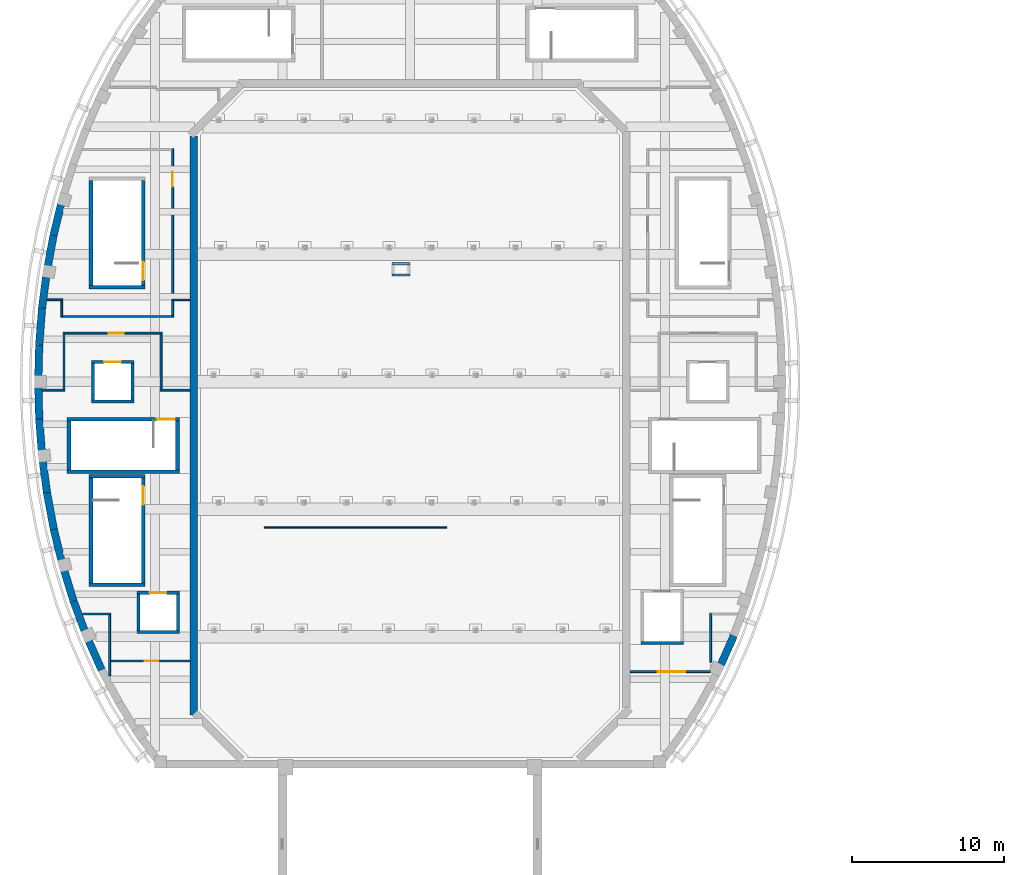
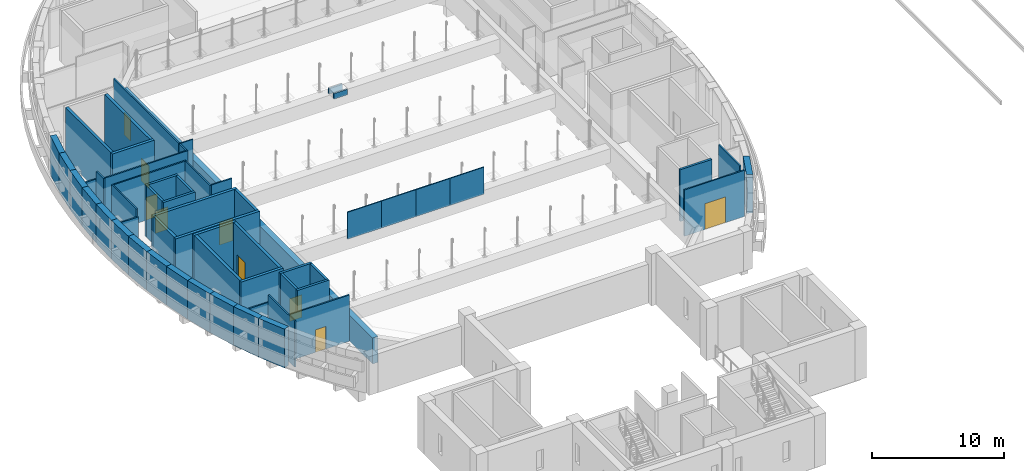
# One storey, part 29 of 47: 57 walls, 9 doors, 9 openings.
"""IFC4 building model written with IfcOpenShell, lengths in metres."""

import ifcopenshell
import ifcopenshell.guid

model = None  # the IFC model being written
_history = None  # IfcOwnerHistory: only IFC2X3 demands one
_inside = {}  # id of a spatial element -> (the spatial element, [elements in it])
_under = {}  # id of a project, library or spatial element -> (it, [spatial elements below it])
_declared = {}  # id of a project -> (the project, [libraries it declares])
_typed = {}  # id of a type object -> (the type object, [elements of that type])
_made_of = {}  # id of a material, layer set ... -> (it, [elements and type objects made of it])


def new_model(schema):
    """Start an empty IFC model of exactly this schema.

    Asked for "IFC4X3", IfcOpenShell would pick the latest addendum, in which some entities
    have other attributes; the version numbers below select the first issue.
    IFC2X3 requires an IfcOwnerHistory on every rooted entity: one is made here for all.
    """
    global model, _history
    if schema == "IFC4X3":
        model = ifcopenshell.file(schema_version=(4, 3, 0, 0))
    else:
        model = ifcopenshell.file(schema=schema)
    _inside.clear()
    _under.clear()
    _declared.clear()
    _typed.clear()
    _made_of.clear()
    _history = None
    if model.schema == "IFC2X3":
        org = make("IfcOrganization", Name="unknown")
        user = make(
            "IfcPersonAndOrganization",
            ThePerson=make("IfcPerson", FamilyName="unknown"),
            TheOrganization=org,
        )
        app = make(
            "IfcApplication",
            ApplicationDeveloper=org,
            Version="unknown",
            ApplicationFullName="unknown",
            ApplicationIdentifier="unknown",
        )
        _history = make(
            "IfcOwnerHistory",
            OwningUser=user,
            OwningApplication=app,
            ChangeAction="ADDED",
            CreationDate=0,
        )
    return model


def make(cls, **values):
    """One entity of the class cls with the attributes given. An attribute that is None is left unset."""
    return model.create_entity(
        cls, **{name: value for name, value in values.items() if value is not None}
    )


def rooted(cls, **values):
    """An entity with a GlobalId (a new one), such as an element, a storey or a relation."""
    return make(cls, GlobalId=ifcopenshell.guid.new(), OwnerHistory=_history, **values)


def si_unit(unit_type, name, prefix=None):
    """IfcSIUnit, for example si_unit("LENGTHUNIT", "METRE", prefix="MILLI")."""
    return make("IfcSIUnit", UnitType=unit_type, Prefix=prefix, Name=name)


def assignment(units):
    """IfcUnitAssignment: the units of a project."""
    return None if units is None else make("IfcUnitAssignment", Units=units)


def point(xyz):
    """IfcCartesianPoint."""
    return None if xyz is None else make("IfcCartesianPoint", Coordinates=xyz)


def direction(xyz):
    """IfcDirection."""
    return None if xyz is None else make("IfcDirection", DirectionRatios=xyz)


def frame(location, z_axis=None, x_axis=None):
    """IfcAxis2Placement3D, a coordinate frame: its origin and axes. An axis left out is left unset."""
    return make(
        "IfcAxis2Placement3D",
        Location=point(location),
        Axis=direction(z_axis),
        RefDirection=direction(x_axis),
    )


def frame_2d(location, x_axis=None):
    """IfcAxis2Placement2D, a coordinate frame in the plane: its origin and x axis."""
    return make(
        "IfcAxis2Placement2D", Location=point(location), RefDirection=direction(x_axis)
    )


def origin():
    """The frame at (0, 0, 0) with its axes left unset."""
    return frame((0.0, 0.0, 0.0))


def place(relative_to, where):
    """IfcLocalPlacement: puts the frame where relative to a parent placement (None: the world)."""
    return make(
        "IfcLocalPlacement", PlacementRelTo=relative_to, RelativePlacement=where
    )


def context(
    kind, dimensions, precision=None, world=None, true_north=None, identifier=None
):
    """IfcGeometricRepresentationContext, for example the 3D "Model" context."""
    return make(
        "IfcGeometricRepresentationContext",
        ContextIdentifier=identifier,
        ContextType=kind,
        CoordinateSpaceDimension=dimensions,
        Precision=precision,
        WorldCoordinateSystem=world,
        TrueNorth=true_north,
    )


def subcontext(parent, identifier, kind, view, scale=None):
    """IfcGeometricRepresentationSubContext, for example "Body" below "Model"."""
    return make(
        "IfcGeometricRepresentationSubContext",
        ContextIdentifier=identifier,
        ContextType=kind,
        ParentContext=parent,
        TargetScale=scale,
        TargetView=view,
    )


def project(units=None, contexts=None):
    """IfcProject with its units and contexts."""
    return rooted(
        "IfcProject",
        Name="project",
        RepresentationContexts=contexts,
        UnitsInContext=assignment(units),
    )


def spatial(cls, under=None, at=None, **own):
    """A site, building, storey or space (cls), placed at a placement, below another one or the project."""
    s = rooted(cls, ObjectPlacement=at, **own)
    if under is not None:
        _under.setdefault(under.id(), (under, []))[1].append(s)
    return s


def profile(cls, at=None, kind="AREA", **sizes):
    """A parametric profile (cls). Its sizes go by their IFC names, for example OverallWidth=200.0."""
    return make(cls, ProfileType=kind, Position=at, **sizes)


def rectangle(**sizes):
    """IfcRectangleProfileDef."""
    return profile("IfcRectangleProfileDef", **sizes)


def extrude(swept, where, along, depth):
    """IfcExtrudedAreaSolid: the profile swept, set in the frame where, extruded along a direction by depth."""
    return make(
        "IfcExtrudedAreaSolid",
        SweptArea=swept,
        Position=where,
        ExtrudedDirection=direction(along),
        Depth=depth,
    )


def shape(context_of_items, identifier, shape_type, items):
    """IfcShapeRepresentation: the items that make up one representation, for example the "Body"."""
    return make(
        "IfcShapeRepresentation",
        ContextOfItems=context_of_items,
        RepresentationIdentifier=identifier,
        RepresentationType=shape_type,
        Items=items,
    )


def material(Name=None, Category=None):
    """IfcMaterial."""
    return make("IfcMaterial", Name=Name, Category=Category)


def layer(
    of_material, thickness, ventilated=None, Name=None, Category=None, Priority=None
):
    """IfcMaterialLayer: one layer of a wall or slab, of a material (None: an air gap)."""
    return make(
        "IfcMaterialLayer",
        Material=of_material,
        LayerThickness=thickness,
        IsVentilated=ventilated,
        Name=Name,
        Category=Category,
        Priority=Priority,
    )


def layer_set(layers, Name=None):
    """IfcMaterialLayerSet."""
    return make("IfcMaterialLayerSet", MaterialLayers=layers, LayerSetName=Name)


def made_of(thing, what):
    """Note that an element or type object is made of a material, layer set ...; save() writes the relation."""
    if what is not None:
        _made_of.setdefault(what.id(), (what, []))[1].append(thing)
    return thing


def type_object(cls, material=None, **own):
    """A type object (cls), such as IfcWallType, which elements share."""
    return made_of(rooted(cls, **own), material)


def element(
    cls,
    number,
    at=None,
    inside=None,
    cuts=None,
    type_object=None,
    material=None,
    context=None,
    identifier="Body",
    shape_type=None,
    held_by="IfcProductDefinitionShape",
    body=None,
    shapes=None,
    **own,
):
    """One element of the class cls, such as IfcWall. Its Tag is "e" and its number.

    at: its placement. inside: the storey or other place that contains it. cuts: it is an
    opening in that element (IfcRelVoidsElement). A single representation is given by context,
    identifier, shape_type and body (its items); several are given by shapes. held_by: the class
    of the entity that holds the representations. save() writes the other relations.
    """
    e = rooted(cls, Tag="e%d" % number, ObjectPlacement=at, **own)
    if body is not None:
        shapes = [shape(context, identifier, shape_type, body)]
    if shapes is not None:
        e.Representation = make(held_by, Representations=shapes)
    if inside is not None:
        _inside.setdefault(inside.id(), (inside, []))[1].append(e)
    if cuts is not None:
        rooted(
            "IfcRelVoidsElement", RelatingBuildingElement=cuts, RelatedOpeningElement=e
        )
    if type_object is not None:
        _typed.setdefault(type_object.id(), (type_object, []))[1].append(e)
    return made_of(e, material)


def fill(opening, filler):
    """IfcRelFillsElement: the door or window that sits in an opening."""
    return rooted(
        "IfcRelFillsElement",
        RelatingOpeningElement=opening,
        RelatedBuildingElement=filler,
    )


def aggregate(whole, parts):
    """IfcRelAggregates: a whole, such as a stair, and the parts it consists of."""
    return rooted("IfcRelAggregates", RelatingObject=whole, RelatedObjects=parts)


def save(model, path):
    """Write the relations noted so far, then the file.

    IfcRelAggregates (storeys below a building ...), IfcRelContainedInSpatialStructure (elements
    in a storey), IfcRelDefinesByType, IfcRelAssociatesMaterial and IfcRelDeclares: one each for
    every whole, place, type object, material and project.
    """
    for whole, parts in _under.values():
        aggregate(whole, parts)
    for where, things in _inside.values():
        rooted(
            "IfcRelContainedInSpatialStructure",
            RelatedElements=things,
            RelatingStructure=where,
        )
    for kind, things in _typed.values():
        rooted("IfcRelDefinesByType", RelatedObjects=things, RelatingType=kind)
    for what, things in _made_of.values():
        rooted("IfcRelAssociatesMaterial", RelatedObjects=things, RelatingMaterial=what)
    for by, libraries in _declared.values():
        rooted("IfcRelDeclares", RelatingContext=by, RelatedDefinitions=libraries)
    model.write(path)


model = new_model("IFC4")

# Units and contexts
model_context = context("Model", 3, precision=1e-05, world=origin(), true_north=direction((0.0, 1.0)))
body_context = subcontext(model_context, "Body", "Model", "MODEL_VIEW")
ifc_project = project(units=[si_unit("LENGTHUNIT", "METRE"), si_unit("AREAUNIT", "SQUARE_METRE"), si_unit("VOLUMEUNIT", "CUBIC_METRE"), si_unit("PLANEANGLEUNIT", "RADIAN"), si_unit("MASSUNIT", "GRAM", prefix="KILO")], contexts=[model_context])

# Site, building, storey
site_placement = place(None, origin())
site = spatial("IfcSite", under=ifc_project, at=site_placement, CompositionType="ELEMENT")
building_placement = place(site_placement, origin())
building = spatial("IfcBuilding", under=site, at=building_placement, Name="Larchfold Concert Hall", CompositionType="ELEMENT")
storey_placement = place(building_placement, frame((0.0, 0.0, 24.0)))
storey = spatial("IfcBuildingStorey", under=building, at=storey_placement, Name="L05", CompositionType="ELEMENT", Elevation=24.0)

# Wall, opening, door
ifc_material_1 = material(Name="Plasterboard partition on steel studs", Category="steel")
ifc_layer_1 = layer(ifc_material_1, 0.125)
ifc_layer_set_1 = layer_set([ifc_layer_1], Name="Plasterboard partition on steel studs")
wall_type_1 = type_object("IfcWallType", Name="Corridor partition 125 EI 60", PredefinedType="PARTITIONING", material=ifc_layer_set_1)
wall_1_placement = place(storey_placement, frame((57.10009765625, 65.5, 0.0), z_axis=(0.0, 0.0, 1.0), x_axis=(0.999999982852, 0.000185193756, 0.0)))
wall_1 = element("IfcWall", 1, at=wall_1_placement, inside=storey, type_object=wall_type_1, Name="Partition IW0001", PredefinedType="PARTITIONING", context=body_context, shape_type="SweptSolid", body=[
    extrude(rectangle(XDim=5.273193359375, YDim=0.125, at=frame_2d((2.63671875, 0.0))), origin(), (0.0, 0.0, 1.0), 4.300048828125),
])
opening_1_placement = place(wall_1_placement, frame((1.813232421875, 0.0, 0.0)))
opening_1 = element("IfcOpeningElement", 2, at=opening_1_placement, cuts=wall_1, Name="Opening D-L05-100", PredefinedType="OPENING", context=body_context, shape_type="SweptSolid", body=[
    extrude(rectangle(XDim=1.800048828125, YDim=2.39990234375, at=frame_2d((0.89990234375, 1.199951171875))), frame((0.0, 0.072509765625, 0.0), z_axis=(0.0, -1.0, 0.0), x_axis=(1.0, 0.0, 0.0)), (0.0, 0.0, 1.0), 0.14501953125),
])
ifc_material_2 = material(Name="Timber door leaf", Category="wood")
door_type_1 = type_object("IfcDoorType", Name="Stage and workshop door pair 1800 x 2400 FD30S", OperationType="SINGLE_SWING_LEFT", PredefinedType="DOOR", material=ifc_material_2)
door_1_placement = place(opening_1_placement, origin())
door_1 = element("IfcDoor", 3, at=door_1_placement, inside=storey, type_object=door_type_1, Name="Door D-L05-100", OperationType="DOUBLE_DOOR_SINGLE_SWING", OverallHeight=2.39990234375, OverallWidth=1.800048828125, PredefinedType="DOOR", context=body_context, shape_type="SweptSolid", body=[
    extrude(rectangle(XDim=1.800048828125, YDim=2.39990234375, at=frame_2d((0.89990234375, 1.199951171875))), frame((0.0, 0.02490234375, 0.0), z_axis=(0.0, -1.0, 0.0), x_axis=(1.0, 0.0, 0.0)), (0.0, 0.0, 1.0), 0.050048828125),
])
fill(opening_1, door_1)

# Walls
wall_2_placement = place(storey_placement, frame((62.39501953125, 66.107177734375, 0.0), z_axis=(0.0, 0.0, 1.0), x_axis=(0.001574919301, 0.999998759814, 0.0)))
element("IfcWall", 4, at=wall_2_placement, inside=storey, type_object=wall_type_1, Name="Partition IW0002", PredefinedType="PARTITIONING", context=body_context, shape_type="SweptSolid", body=[
    extrude(rectangle(XDim=3.25537109375, YDim=0.125, at=frame_2d((1.627685546875, 0.0))), origin(), (0.0, 0.0, 1.0), 4.300048828125),
])
wall_3_placement = place(storey_placement, frame((21.02099609375, 69.300048828125, 0.0), z_axis=(0.0, 0.0, 1.0), x_axis=(1.0, 0.0, 0.0)))
element("IfcWall", 5, at=wall_3_placement, inside=storey, type_object=wall_type_1, Name="Partition IW0004", PredefinedType="PARTITIONING", context=body_context, shape_type="SweptSolid", body=[
    extrude(rectangle(XDim=1.841552734375, YDim=0.125, at=frame_2d((0.9208984375, 0.0))), origin(), (0.0, 0.0, 1.0), 3.599853515625),
])
wall_4_placement = place(storey_placement, frame((22.800048828125, 69.237548828125, 0.0), z_axis=(0.0, 0.0, 1.0), x_axis=(0.001954791623, -0.999998089393, 0.0)))
element("IfcWall", 6, at=wall_4_placement, inside=storey, type_object=wall_type_1, Name="Partition IW0005", PredefinedType="PARTITIONING", context=body_context, shape_type="SweptSolid", body=[
    extrude(rectangle(XDim=3.99658203125, YDim=0.125, at=frame_2d((1.998291015625, 0.0))), origin(), (0.0, 0.0, 1.0), 4.300048828125),
])

# Wall, opening, door
wall_5_placement = place(storey_placement, frame((22.868408203125, 66.200927734375, 0.0), z_axis=(0.0, 0.0, 1.0), x_axis=(0.999999982578, -0.00018666293, 0.0)))
wall_5 = element("IfcWall", 7, at=wall_5_placement, inside=storey, type_object=wall_type_1, Name="Partition IW0006", PredefinedType="PARTITIONING", context=body_context, shape_type="SweptSolid", body=[
    extrude(rectangle(XDim=5.231689453125, YDim=0.125, at=frame_2d((2.61572265625, 0.0))), origin(), (0.0, 0.0, 1.0), 4.300048828125),
])
opening_2_placement = place(wall_5_placement, frame((2.24853515625, 0.0, 0.0)))
opening_2 = element("IfcOpeningElement", 8, at=opening_2_placement, cuts=wall_5, Name="Opening D-L05-101", PredefinedType="OPENING", context=body_context, shape_type="SweptSolid", body=[
    extrude(rectangle(XDim=0.89990234375, YDim=2.10009765625, at=frame_2d((0.449951171875, 1.050048828125))), frame((0.0, 0.072509765625, 0.0), z_axis=(0.0, -1.0, 0.0), x_axis=(1.0, 0.0, 0.0)), (0.0, 0.0, 1.0), 0.14501953125),
])
ifc_material_3 = material(Name="Timber door leaf", Category="wood")
door_type_2 = type_object("IfcDoorType", Name="Control room door 900 x 2100 FD60S", OperationType="SINGLE_SWING_LEFT", PredefinedType="DOOR", material=ifc_material_3)
door_2_placement = place(opening_2_placement, origin())
door_2 = element("IfcDoor", 9, at=door_2_placement, inside=storey, type_object=door_type_2, Name="Door D-L05-101", OperationType="SINGLE_SWING_LEFT", OverallHeight=2.10009765625, OverallWidth=0.89990234375, PredefinedType="DOOR", context=body_context, shape_type="SweptSolid", body=[
    extrude(rectangle(XDim=0.89990234375, YDim=2.10009765625, at=frame_2d((0.449951171875, 1.050048828125))), frame((0.0, 0.02490234375, 0.0), z_axis=(0.0, -1.0, 0.0), x_axis=(1.0, 0.0, 0.0)), (0.0, 0.0, 1.0), 0.050048828125),
])
fill(opening_2, door_2)

# Walls
wall_6_placement = place(storey_placement, frame((18.364990234375, 84.049072265625, 0.0), z_axis=(0.0, 0.0, 1.0), x_axis=(0.999999787658, 0.000651677933, 0.0)))
element("IfcWall", 10, at=wall_6_placement, inside=storey, type_object=wall_type_1, Name="Partition IW0012", PredefinedType="PARTITIONING", context=body_context, shape_type="SweptSolid", body=[
    extrude(rectangle(XDim=1.49853515625, YDim=0.125, at=frame_2d((0.749267578125, 0.0))), origin(), (0.0, 0.0, 1.0), 3.599853515625),
])
wall_7_placement = place(storey_placement, frame((19.801025390625, 84.112548828125, 0.0), z_axis=(0.0, 0.0, 1.0), x_axis=(0.0, 1.0, 0.0)))
element("IfcWall", 11, at=wall_7_placement, inside=storey, type_object=wall_type_1, Name="Partition IW0013", PredefinedType="PARTITIONING", context=body_context, shape_type="SweptSolid", body=[
    extrude(rectangle(XDim=3.7490234375, YDim=0.125, at=frame_2d((1.87451171875, 0.0))), origin(), (0.0, 0.0, 1.0), 4.300048828125),
])

# Wall, opening, door
wall_8_placement = place(storey_placement, frame((19.863525390625, 87.799072265625, 0.0), z_axis=(0.0, 0.0, 1.0), x_axis=(1.0, 0.0, 0.0)))
wall_8 = element("IfcWall", 12, at=wall_8_placement, inside=storey, type_object=wall_type_1, Name="Partition IW0014", PredefinedType="PARTITIONING", context=body_context, shape_type="SweptSolid", body=[
    extrude(rectangle(XDim=6.39794921875, YDim=0.125, at=frame_2d((3.198974609375, 0.0))), origin(), (0.0, 0.0, 1.0), 4.300048828125),
])
opening_3_placement = place(wall_8_placement, frame((2.868896484375, 0.0, 0.0)))
opening_3 = element("IfcOpeningElement", 13, at=opening_3_placement, cuts=wall_8, Name="Opening D-L05-102", PredefinedType="OPENING", context=body_context, shape_type="SweptSolid", body=[
    extrude(rectangle(XDim=1.0, YDim=2.10009765625, at=frame_2d((0.5, 1.050048828125))), frame((0.0, 0.072509765625, 0.0), z_axis=(0.0, -1.0, 0.0), x_axis=(1.0, 0.0, 0.0)), (0.0, 0.0, 1.0), 0.14501953125),
])
ifc_material_4 = material(Name="Timber door leaf", Category="wood")
door_type_3 = type_object("IfcDoorType", Name="Room door 1000 x 2100 FD30S", OperationType="SINGLE_SWING_LEFT", PredefinedType="DOOR", material=ifc_material_4)
door_3_placement = place(opening_3_placement, origin())
door_3 = element("IfcDoor", 14, at=door_3_placement, inside=storey, type_object=door_type_3, Name="Door D-L05-102", OperationType="SINGLE_SWING_RIGHT", OverallHeight=2.10009765625, OverallWidth=1.0, PredefinedType="DOOR", context=body_context, shape_type="SweptSolid", body=[
    extrude(rectangle(XDim=1.0, YDim=2.10009765625, at=frame_2d((0.5, 1.050048828125))), frame((0.0, 0.02490234375, 0.0), z_axis=(0.0, -1.0, 0.0), x_axis=(1.0, 0.0, 0.0)), (0.0, 0.0, 1.0), 0.050048828125),
])
fill(opening_3, door_3)

# Walls
wall_9_placement = place(storey_placement, frame((26.198974609375, 87.736572265625, 0.0), z_axis=(0.0, 0.0, 1.0), x_axis=(0.0, -1.0, 0.0)))
element("IfcWall", 15, at=wall_9_placement, inside=storey, type_object=wall_type_1, Name="Partition IW0015", PredefinedType="PARTITIONING", context=body_context, shape_type="SweptSolid", body=[
    extrude(rectangle(XDim=3.7490234375, YDim=0.125, at=frame_2d((1.87451171875, 0.0))), origin(), (0.0, 0.0, 1.0), 4.300048828125),
])
wall_10_placement = place(storey_placement, frame((26.261474609375, 84.050048828125, 0.0), z_axis=(0.0, 0.0, 1.0), x_axis=(0.999999858946, -0.000531137888, 0.0)))
element("IfcWall", 16, at=wall_10_placement, inside=storey, type_object=wall_type_1, Name="Partition IW0016", PredefinedType="PARTITIONING", context=body_context, shape_type="SweptSolid", body=[
    extrude(rectangle(XDim=1.838623046875, YDim=0.125, at=frame_2d((0.91943359375, 0.0))), origin(), (0.0, 0.0, 1.0), 4.300048828125),
])
wall_11_placement = place(storey_placement, frame((18.678955078125, 90.0, 0.0), z_axis=(0.0, 0.0, 1.0), x_axis=(1.0, 0.0, 0.0)))
element("IfcWall", 17, at=wall_11_placement, inside=storey, type_object=wall_type_1, Name="Partition IW0024", PredefinedType="PARTITIONING", context=body_context, shape_type="SweptSolid", body=[
    extrude(rectangle(XDim=1.033447265625, YDim=0.125, at=frame_2d((0.5166015625, 0.0))), origin(), (0.0, 0.0, 1.0), 3.599853515625),
])
wall_12_placement = place(storey_placement, frame((19.64990234375, 89.9375, 0.0), z_axis=(0.0, 0.0, 1.0), x_axis=(0.0, -1.0, 0.0)))
element("IfcWall", 18, at=wall_12_placement, inside=storey, type_object=wall_type_1, Name="Partition IW0025", PredefinedType="PARTITIONING", context=body_context, shape_type="SweptSolid", body=[
    extrude(rectangle(XDim=1.10009765625, YDim=0.125, at=frame_2d((0.550048828125, 0.0))), origin(), (0.0, 0.0, 1.0), 4.300048828125),
])
wall_13_placement = place(storey_placement, frame((19.71240234375, 88.89990234375, 0.0), z_axis=(0.0, 0.0, 1.0), x_axis=(1.0, 0.0, 0.0)))
element("IfcWall", 19, at=wall_13_placement, inside=storey, type_object=wall_type_1, Name="Partition IW0026", PredefinedType="PARTITIONING", context=body_context, shape_type="SweptSolid", body=[
    extrude(rectangle(XDim=7.300048828125, YDim=0.125, at=frame_2d((3.64990234375, 0.0))), origin(), (0.0, 0.0, 1.0), 4.300048828125),
])
wall_14_placement = place(storey_placement, frame((26.949951171875, 88.96240234375, 0.0), z_axis=(0.0, 0.0, 1.0), x_axis=(0.0, 1.0, 0.0)))
element("IfcWall", 20, at=wall_14_placement, inside=storey, type_object=wall_type_1, Name="Partition IW0027", PredefinedType="PARTITIONING", context=body_context, shape_type="SweptSolid", body=[
    extrude(rectangle(XDim=0.987548828125, YDim=0.125, at=frame_2d((0.49365234375, 0.0))), origin(), (0.0, 0.0, 1.0), 4.300048828125),
])

# Wall, opening, door
wall_15_placement = place(storey_placement, frame((26.949951171875, 90.051025390625, 0.0), z_axis=(0.0, 0.0, 1.0), x_axis=(0.0, 1.0, 0.0)))
wall_15 = element("IfcWall", 21, at=wall_15_placement, inside=storey, type_object=wall_type_1, Name="Partition IW0029", PredefinedType="PARTITIONING", context=body_context, shape_type="SweptSolid", body=[
    extrude(rectangle(XDim=9.911376953125, YDim=0.125, at=frame_2d((4.95556640625, 0.0))), origin(), (0.0, 0.0, 1.0), 4.300048828125),
])
opening_4_placement = place(wall_15_placement, frame((7.38134765625, 0.0, 0.0)))
opening_4 = element("IfcOpeningElement", 22, at=opening_4_placement, cuts=wall_15, Name="Opening D-L05-104", PredefinedType="OPENING", context=body_context, shape_type="SweptSolid", body=[
    extrude(rectangle(XDim=1.0, YDim=2.10009765625, at=frame_2d((0.5, 1.050048828125))), frame((0.0, 0.072509765625, 0.0), z_axis=(0.0, -1.0, 0.0), x_axis=(1.0, 0.0, 0.0)), (0.0, 0.0, 1.0), 0.14501953125),
])
door_4_placement = place(opening_4_placement, origin())
door_4 = element("IfcDoor", 23, at=door_4_placement, inside=storey, type_object=door_type_3, Name="Door D-L05-104", OperationType="SINGLE_SWING_LEFT", OverallHeight=2.10009765625, OverallWidth=1.0, PredefinedType="DOOR", context=body_context, shape_type="SweptSolid", body=[
    extrude(rectangle(XDim=1.0, YDim=2.10009765625, at=frame_2d((0.5, 1.050048828125))), frame((0.0, 0.02490234375, 0.0), z_axis=(0.0, -1.0, 0.0), x_axis=(1.0, 0.0, 0.0)), (0.0, 0.0, 1.0), 0.050048828125),
])
fill(opening_4, door_4)

# Walls
ifc_material_5 = material(Name="Anodised graphite aluminium louvre screen", Category="aluminium")
ifc_layer_2 = layer(ifc_material_5, 0.10009765625)
ifc_layer_set_2 = layer_set([ifc_layer_2], Name="Anodised graphite aluminium louvre screen")
wall_type_2 = type_object("IfcWallType", Name="Plant screen louvre panel 100", PredefinedType="PARTITIONING", material=ifc_layer_set_2)
for number, where, z_axis, x_axis, name in (
    (24, (33.0, 75.0, 2.39990234375), (0.0, 0.0, 1.0), (1.0, 0.0, 0.0), "Plant screen PS01"),
    (25, (36.0, 75.0, 2.39990234375), (0.0, 0.0, 1.0), (1.0, 0.0, 0.0), "Plant screen PS02"),
    (26, (39.0, 75.0, 2.39990234375), (0.0, 0.0, 1.0), (1.0, 0.0, 0.0), "Plant screen PS03"),
    (27, (42.0, 75.0, 2.39990234375), (0.0, 0.0, 1.0), (1.0, 0.0, 0.0), "Plant screen PS04"),
):
    element("IfcWall", number, at=place(storey_placement, frame(where, z_axis=z_axis, x_axis=x_axis)), inside=storey, type_object=wall_type_2, Name=name, PredefinedType="PARTITIONING", context=body_context, shape_type="SweptSolid", body=[
        extrude(rectangle(XDim=3.0, YDim=0.10009765625, at=frame_2d((1.5, 0.0))), origin(), (0.0, 0.0, 1.0), 2.5),
    ])
ifc_material_6 = material(Name="Insulated steel upstand S355", Category="steel")
ifc_layer_3 = layer(ifc_material_6, 0.14990234375)
ifc_layer_set_3 = layer_set([ifc_layer_3], Name="Insulated steel upstand S355")
wall_type_3 = type_object("IfcWallType", Name="Roof hatch curb 150", PredefinedType="PARAPET", material=ifc_layer_set_3)
for number, where, z_axis, x_axis, name in (
    (28, (41.39990234375, 91.625, 2.39990234375), (0.0, 0.0, 1.0), (1.0, 0.0, 0.0), "Roof upstand curb HC01"),
    (29, (41.39990234375, 92.375, 2.39990234375), (0.0, 0.0, 1.0), (1.0, 0.0, 0.0), "Roof upstand curb HC02"),
):
    element("IfcWall", number, at=place(storey_placement, frame(where, z_axis=z_axis, x_axis=x_axis)), inside=storey, type_object=wall_type_3, Name=name, PredefinedType="PARAPET", context=body_context, shape_type="SweptSolid", body=[
        extrude(rectangle(XDim=1.2001953125, YDim=0.14990234375, at=frame_2d((0.60009765625, 0.0))), origin(), (0.0, 0.0, 1.0), 0.5),
    ])
ifc_material_7 = material(Name="Plasterboard partition on steel studs", Category="steel")
ifc_layer_4 = layer(ifc_material_7, 0.10009765625)
ifc_layer_set_4 = layer_set([ifc_layer_4], Name="Plasterboard partition on steel studs")
wall_type_4 = type_object("IfcWallType", Name="Stud partition 100", PredefinedType="PARTITIONING", material=ifc_layer_set_4)
wall_16_placement = place(storey_placement, frame((26.887451171875, 90.0, 0.0), z_axis=(0.0, 0.0, 1.0), x_axis=(1.0, 0.0, 0.0)))
element("IfcWall", 30, at=wall_16_placement, inside=storey, type_object=wall_type_4, Name="Partition IW0023", PredefinedType="PARTITIONING", context=body_context, shape_type="SweptSolid", body=[
    extrude(rectangle(XDim=1.212646484375, YDim=0.10009765625, at=frame_2d((0.6064453125, 0.0))), origin(), (0.0, 0.0, 1.0), 4.300048828125),
])
ifc_material_8 = material(Name="Concrete C40/50", Category="concrete")
ifc_layer_5 = layer(ifc_material_8, 0.199951171875)
ifc_layer_set_5 = layer_set([ifc_layer_5], Name="Concrete C40/50")
wall_type_5 = type_object("IfcWallType", Name="Wall RC 200 lift shaft", PredefinedType="SOLIDWALL", material=ifc_layer_set_5)
wall_17_placement = place(storey_placement, frame((57.800048828125, 67.400146484375, 0.0), z_axis=(0.0, 0.0, 1.0), x_axis=(1.0, 0.0, 0.0)))
element("IfcWall", 31, at=wall_17_placement, inside=storey, type_object=wall_type_5, Name="Wall W0085", PredefinedType="SOLIDWALL", context=body_context, shape_type="SweptSolid", body=[
    extrude(rectangle(XDim=2.800048828125, YDim=0.199951171875, at=frame_2d((1.39990234375, 0.0))), origin(), (0.0, 0.0, 1.0), 4.800048828125),
])
wall_18_placement = place(storey_placement, frame((24.60009765625, 68.10009765625, 0.0), z_axis=(0.0, 0.0, 1.0), x_axis=(1.0, 0.0, 0.0)))
element("IfcWall", 32, at=wall_18_placement, inside=storey, type_object=wall_type_5, Name="Wall W0089", PredefinedType="SOLIDWALL", context=body_context, shape_type="SweptSolid", body=[
    extrude(rectangle(XDim=2.7998046875, YDim=0.199951171875, at=frame_2d((1.39990234375, 0.0))), origin(), (0.0, 0.0, 1.0), 4.800048828125),
])

# Wall, opening, door
wall_19_placement = place(storey_placement, frame((24.60009765625, 70.699951171875, 0.0), z_axis=(0.0, 0.0, 1.0), x_axis=(1.0, 0.0, 0.0)))
wall_19 = element("IfcWall", 33, at=wall_19_placement, inside=storey, type_object=wall_type_5, Name="Wall W0090", PredefinedType="SOLIDWALL", context=body_context, shape_type="SweptSolid", body=[
    extrude(rectangle(XDim=2.7998046875, YDim=0.199951171875, at=frame_2d((1.39990234375, 0.0))), origin(), (0.0, 0.0, 1.0), 4.800048828125),
])
opening_5_placement = place(wall_19_placement, frame((0.849853515625, 0.0, 0.0)))
opening_5 = element("IfcOpeningElement", 34, at=opening_5_placement, cuts=wall_19, Name="Opening LD-LF02", PredefinedType="OPENING", context=body_context, shape_type="SweptSolid", body=[
    extrude(rectangle(XDim=1.10009765625, YDim=2.10009765625, at=frame_2d((0.550048828125, 1.050048828125))), frame((0.0, 0.10986328125, 0.0), z_axis=(0.0, -1.0, 0.0), x_axis=(1.0, 0.0, 0.0)), (0.0, 0.0, 1.0), 0.219970703125),
])
ifc_material_9 = material(Name="Stainless steel sliding leaves", Category="steel")
door_type_4 = type_object("IfcDoorType", Name="Lift landing door sliding 1100 x 2100", OperationType="SLIDING_TO_LEFT", PredefinedType="DOOR", material=ifc_material_9)
door_5_placement = place(opening_5_placement, origin())
door_5 = element("IfcDoor", 35, at=door_5_placement, inside=storey, type_object=door_type_4, Name="Lift landing door LF02", OperationType="SLIDING_TO_LEFT", OverallHeight=2.10009765625, OverallWidth=1.10009765625, PredefinedType="DOOR", context=body_context, shape_type="SweptSolid", body=[
    extrude(rectangle(XDim=1.10009765625, YDim=2.10009765625, at=frame_2d((0.550048828125, 1.050048828125))), frame((0.0, 0.02490234375, 0.0), z_axis=(0.0, -1.0, 0.0), x_axis=(1.0, 0.0, 0.0)), (0.0, 0.0, 1.0), 0.050048828125),
])
fill(opening_5, door_5)

# Walls
for number, where, z_axis, x_axis, name in (
    (36, (24.7001953125, 68.199951171875, 0.0), (0.0, 0.0, 1.0), (0.0, 1.0, 0.0), "Wall W0091"),
    (37, (27.2998046875, 68.199951171875, 0.0), (0.0, 0.0, 1.0), (0.0, 1.0, 0.0), "Wall W0092"),
):
    element("IfcWall", number, at=place(storey_placement, frame(where, z_axis=z_axis, x_axis=x_axis)), inside=storey, type_object=wall_type_5, Name=name, PredefinedType="SOLIDWALL", context=body_context, shape_type="SweptSolid", body=[
        extrude(rectangle(XDim=2.400146484375, YDim=0.199951171875, at=frame_2d((1.2001953125, 0.0))), origin(), (0.0, 0.0, 1.0), 4.800048828125),
    ])
wall_20_placement = place(storey_placement, frame((21.60009765625, 83.300048828125, 0.0), z_axis=(0.0, 0.0, 1.0), x_axis=(1.0, 0.0, 0.0)))
element("IfcWall", 38, at=wall_20_placement, inside=storey, type_object=wall_type_5, Name="Wall W0097", PredefinedType="SOLIDWALL", context=body_context, shape_type="SweptSolid", body=[
    extrude(rectangle(XDim=2.7998046875, YDim=0.199951171875, at=frame_2d((1.39990234375, 0.0))), origin(), (0.0, 0.0, 1.0), 4.800048828125),
])

# Wall, opening, door
wall_21_placement = place(storey_placement, frame((21.60009765625, 85.89990234375, 0.0), z_axis=(0.0, 0.0, 1.0), x_axis=(1.0, 0.0, 0.0)))
wall_21 = element("IfcWall", 39, at=wall_21_placement, inside=storey, type_object=wall_type_5, Name="Wall W0098", PredefinedType="SOLIDWALL", context=body_context, shape_type="SweptSolid", body=[
    extrude(rectangle(XDim=2.7998046875, YDim=0.199951171875, at=frame_2d((1.39990234375, 0.0))), origin(), (0.0, 0.0, 1.0), 4.800048828125),
])
opening_6_placement = place(wall_21_placement, frame((0.849853515625, 0.0, 0.0)))
opening_6 = element("IfcOpeningElement", 40, at=opening_6_placement, cuts=wall_21, Name="Opening LD-LF04", PredefinedType="OPENING", context=body_context, shape_type="SweptSolid", body=[
    extrude(rectangle(XDim=1.10009765625, YDim=2.10009765625, at=frame_2d((0.550048828125, 1.050048828125))), frame((0.0, 0.10986328125, 0.0), z_axis=(0.0, -1.0, 0.0), x_axis=(1.0, 0.0, 0.0)), (0.0, 0.0, 1.0), 0.219970703125),
])
door_6_placement = place(opening_6_placement, origin())
door_6 = element("IfcDoor", 41, at=door_6_placement, inside=storey, type_object=door_type_4, Name="Lift landing door LF04", OperationType="SLIDING_TO_LEFT", OverallHeight=2.10009765625, OverallWidth=1.10009765625, PredefinedType="DOOR", context=body_context, shape_type="SweptSolid", body=[
    extrude(rectangle(XDim=1.10009765625, YDim=2.10009765625, at=frame_2d((0.550048828125, 1.050048828125))), frame((0.0, 0.02490234375, 0.0), z_axis=(0.0, -1.0, 0.0), x_axis=(1.0, 0.0, 0.0)), (0.0, 0.0, 1.0), 0.050048828125),
])
fill(opening_6, door_6)

# Walls
for number, where, z_axis, x_axis, name in (
    (42, (21.7001953125, 83.39990234375, 0.0), (0.0, 0.0, 1.0), (0.0, 1.0, 0.0), "Wall W0099"),
    (43, (24.2998046875, 83.39990234375, 0.0), (0.0, 0.0, 1.0), (0.0, 1.0, 0.0), "Wall W0100"),
):
    element("IfcWall", number, at=place(storey_placement, frame(where, z_axis=z_axis, x_axis=x_axis)), inside=storey, type_object=wall_type_5, Name=name, PredefinedType="SOLIDWALL", context=body_context, shape_type="SweptSolid", body=[
        extrude(rectangle(XDim=2.400146484375, YDim=0.199951171875, at=frame_2d((1.2001953125, 0.0))), origin(), (0.0, 0.0, 1.0), 4.800048828125),
    ])
ifc_material_10 = material(Name="Concrete C40/50", Category="concrete")
ifc_layer_6 = layer(ifc_material_10, 0.25)
ifc_layer_set_6 = layer_set([ifc_layer_6], Name="Concrete C40/50")
wall_type_6 = type_object("IfcWallType", Name="Wall RC 250 stair core", PredefinedType="SOLIDWALL", material=ifc_layer_set_6)
wall_22_placement = place(storey_placement, frame((21.449951171875, 90.824951171875, 0.0), z_axis=(0.0, 0.0, 1.0), x_axis=(1.0, 0.0, 0.0)))
element("IfcWall", 44, at=wall_22_placement, inside=storey, type_object=wall_type_6, Name="Wall W0037", PredefinedType="SOLIDWALL", context=body_context, shape_type="SweptSolid", body=[
    extrude(rectangle(XDim=3.699951171875, YDim=0.25, at=frame_2d((1.85009765625, 0.0))), origin(), (0.0, 0.0, 1.0), 4.800048828125),
])
wall_23_placement = place(storey_placement, frame((21.574951171875, 90.949951171875, 0.0), z_axis=(0.0, 0.0, 1.0), x_axis=(0.0, 1.0, 0.0)))
element("IfcWall", 45, at=wall_23_placement, inside=storey, type_object=wall_type_6, Name="Wall W0039", PredefinedType="SOLIDWALL", context=body_context, shape_type="SweptSolid", body=[
    extrude(rectangle(XDim=6.900146484375, YDim=0.25, at=frame_2d((3.4501953125, 0.0))), origin(), (0.0, 0.0, 1.0), 4.800048828125),
])

# Wall, opening, door
wall_24_placement = place(storey_placement, frame((25.02490234375, 90.949951171875, 0.0), z_axis=(0.0, 0.0, 1.0), x_axis=(0.0, 1.0, 0.0)))
wall_24 = element("IfcWall", 46, at=wall_24_placement, inside=storey, type_object=wall_type_6, Name="Wall W0040", PredefinedType="SOLIDWALL", context=body_context, shape_type="SweptSolid", body=[
    extrude(rectangle(XDim=6.900146484375, YDim=0.25, at=frame_2d((3.4501953125, 0.0))), origin(), (0.0, 0.0, 1.0), 4.800048828125),
])
opening_7_placement = place(wall_24_placement, frame((0.35009765625, 0.0, 0.0)))
opening_7 = element("IfcOpeningElement", 47, at=opening_7_placement, cuts=wall_24, Name="Opening D-L05-119", PredefinedType="OPENING", context=body_context, shape_type="SweptSolid", body=[
    extrude(rectangle(XDim=1.199951171875, YDim=2.10009765625, at=frame_2d((0.60009765625, 1.050048828125))), frame((0.0, 0.135009765625, 0.0), z_axis=(0.0, -1.0, 0.0), x_axis=(1.0, 0.0, 0.0)), (0.0, 0.0, 1.0), 0.27001953125),
])
ifc_material_11 = material(Name="Timber door leaf", Category="wood")
door_type_5 = type_object("IfcDoorType", Name="Stair enclosure door pair 1200 x 2100 FD60", OperationType="SINGLE_SWING_LEFT", PredefinedType="DOOR", material=ifc_material_11)
door_7_placement = place(opening_7_placement, origin())
door_7 = element("IfcDoor", 48, at=door_7_placement, inside=storey, type_object=door_type_5, Name="Door D-L05-119", OperationType="DOUBLE_DOOR_SINGLE_SWING", OverallHeight=2.10009765625, OverallWidth=1.199951171875, PredefinedType="DOOR", context=body_context, shape_type="SweptSolid", body=[
    extrude(rectangle(XDim=1.199951171875, YDim=2.10009765625, at=frame_2d((0.60009765625, 1.050048828125))), frame((0.0, 0.02490234375, 0.0), z_axis=(0.0, -1.0, 0.0), x_axis=(1.0, 0.0, 0.0)), (0.0, 0.0, 1.0), 0.050048828125),
])
fill(opening_7, door_7)

# Walls
for number, where, z_axis, x_axis, name in (
    (49, (21.449951171875, 71.22509765625, 0.0), (0.0, 0.0, 1.0), (1.0, 0.0, 0.0), "Wall W0041"),
    (50, (21.449951171875, 78.375, 0.0), (0.0, 0.0, 1.0), (1.0, 0.0, 0.0), "Wall W0042"),
):
    element("IfcWall", number, at=place(storey_placement, frame(where, z_axis=z_axis, x_axis=x_axis)), inside=storey, type_object=wall_type_6, Name=name, PredefinedType="SOLIDWALL", context=body_context, shape_type="SweptSolid", body=[
        extrude(rectangle(XDim=3.699951171875, YDim=0.25, at=frame_2d((1.85009765625, 0.0))), origin(), (0.0, 0.0, 1.0), 4.800048828125),
    ])
wall_25_placement = place(storey_placement, frame((21.574951171875, 71.35009765625, 0.0), z_axis=(0.0, 0.0, 1.0), x_axis=(0.0, 1.0, 0.0)))
element("IfcWall", 51, at=wall_25_placement, inside=storey, type_object=wall_type_6, Name="Wall W0043", PredefinedType="SOLIDWALL", context=body_context, shape_type="SweptSolid", body=[
    extrude(rectangle(XDim=6.89990234375, YDim=0.25, at=frame_2d((3.449951171875, 0.0))), origin(), (0.0, 0.0, 1.0), 4.800048828125),
])

# Wall, opening, door
wall_26_placement = place(storey_placement, frame((25.02490234375, 71.35009765625, 0.0), z_axis=(0.0, 0.0, 1.0), x_axis=(0.0, 1.0, 0.0)))
wall_26 = element("IfcWall", 52, at=wall_26_placement, inside=storey, type_object=wall_type_6, Name="Wall W0044", PredefinedType="SOLIDWALL", context=body_context, shape_type="SweptSolid", body=[
    extrude(rectangle(XDim=6.89990234375, YDim=0.25, at=frame_2d((3.449951171875, 0.0))), origin(), (0.0, 0.0, 1.0), 4.800048828125),
])
opening_8_placement = place(wall_26_placement, frame((5.14990234375, 0.0, 0.0)))
opening_8 = element("IfcOpeningElement", 53, at=opening_8_placement, cuts=wall_26, Name="Opening D-L05-115", PredefinedType="OPENING", context=body_context, shape_type="SweptSolid", body=[
    extrude(rectangle(XDim=1.199951171875, YDim=2.10009765625, at=frame_2d((0.60009765625, 1.050048828125))), frame((0.0, 0.135009765625, 0.0), z_axis=(0.0, -1.0, 0.0), x_axis=(1.0, 0.0, 0.0)), (0.0, 0.0, 1.0), 0.27001953125),
])
door_8_placement = place(opening_8_placement, origin())
door_8 = element("IfcDoor", 54, at=door_8_placement, inside=storey, type_object=door_type_5, Name="Door D-L05-115", OperationType="DOUBLE_DOOR_SINGLE_SWING", OverallHeight=2.10009765625, OverallWidth=1.199951171875, PredefinedType="DOOR", context=body_context, shape_type="SweptSolid", body=[
    extrude(rectangle(XDim=1.199951171875, YDim=2.10009765625, at=frame_2d((0.60009765625, 1.050048828125))), frame((0.0, 0.02490234375, 0.0), z_axis=(0.0, -1.0, 0.0), x_axis=(1.0, 0.0, 0.0)), (0.0, 0.0, 1.0), 0.050048828125),
])
fill(opening_8, door_8)

# Wall
wall_27_placement = place(storey_placement, frame((20.0, 78.675048828125, 0.0), z_axis=(0.0, 0.0, 1.0), x_axis=(1.0, 0.0, 0.0)))
element("IfcWall", 55, at=wall_27_placement, inside=storey, type_object=wall_type_6, Name="Wall W0049", PredefinedType="SOLIDWALL", context=body_context, shape_type="SweptSolid", body=[
    extrude(rectangle(XDim=7.39990234375, YDim=0.25, at=frame_2d((3.699951171875, 0.0))), origin(), (0.0, 0.0, 1.0), 4.800048828125),
])

# Wall, opening, door
wall_28_placement = place(storey_placement, frame((20.0, 82.125, 0.0), z_axis=(0.0, 0.0, 1.0), x_axis=(1.0, 0.0, 0.0)))
wall_28 = element("IfcWall", 56, at=wall_28_placement, inside=storey, type_object=wall_type_6, Name="Wall W0050", PredefinedType="SOLIDWALL", context=body_context, shape_type="SweptSolid", body=[
    extrude(rectangle(XDim=7.39990234375, YDim=0.25, at=frame_2d((3.699951171875, 0.0))), origin(), (0.0, 0.0, 1.0), 4.800048828125),
])
opening_9_placement = place(wall_28_placement, frame((5.89990234375, 0.0, 0.0)))
opening_9 = element("IfcOpeningElement", 57, at=opening_9_placement, cuts=wall_28, Name="Opening D-L05-117", PredefinedType="OPENING", context=body_context, shape_type="SweptSolid", body=[
    extrude(rectangle(XDim=1.199951171875, YDim=2.10009765625, at=frame_2d((0.60009765625, 1.050048828125))), frame((0.0, 0.135009765625, 0.0), z_axis=(0.0, -1.0, 0.0), x_axis=(1.0, 0.0, 0.0)), (0.0, 0.0, 1.0), 0.27001953125),
])
door_9_placement = place(opening_9_placement, origin())
door_9 = element("IfcDoor", 58, at=door_9_placement, inside=storey, type_object=door_type_5, Name="Door D-L05-117", OperationType="DOUBLE_DOOR_SINGLE_SWING", OverallHeight=2.10009765625, OverallWidth=1.199951171875, PredefinedType="DOOR", context=body_context, shape_type="SweptSolid", body=[
    extrude(rectangle(XDim=1.199951171875, YDim=2.10009765625, at=frame_2d((0.60009765625, 1.050048828125))), frame((0.0, 0.02490234375, 0.0), z_axis=(0.0, -1.0, 0.0), x_axis=(1.0, 0.0, 0.0)), (0.0, 0.0, 1.0), 0.050048828125),
])
fill(opening_9, door_9)

# Walls
for number, where, z_axis, x_axis, name in (
    (59, (20.125, 78.800048828125, 0.0), (0.0, 0.0, 1.0), (0.0, 1.0, 0.0), "Wall W0051"),
    (60, (27.27490234375, 78.800048828125, 0.0), (0.0, 0.0, 1.0), (0.0, 1.0, 0.0), "Wall W0052"),
):
    element("IfcWall", number, at=place(storey_placement, frame(where, z_axis=z_axis, x_axis=x_axis)), inside=storey, type_object=wall_type_6, Name=name, PredefinedType="SOLIDWALL", context=body_context, shape_type="SweptSolid", body=[
        extrude(rectangle(XDim=3.199951171875, YDim=0.25, at=frame_2d((1.60009765625, 0.0))), origin(), (0.0, 0.0, 1.0), 4.800048828125),
    ])
ifc_material_12 = material(Name="Concrete C30/37", Category="concrete")
ifc_layer_7 = layer(ifc_material_12, 0.5)
ifc_layer_set_7 = layer_set([ifc_layer_7], Name="Concrete C30/37")
wall_type_7 = type_object("IfcWallType", Name="Wall RC 500 drum facade", PredefinedType="SOLIDWALL", material=ifc_layer_set_7)
for number, where, z_axis, x_axis, name in (
    (61, (19.685302734375, 96.63134765625, 0.0), (0.0, 0.0, 1.0), (-0.235921551206, -0.971772103776, 0.0), "Wall DW034"),
    (62, (19.111083984375, 94.26611328125, 0.0), (0.0, 0.0, 1.0), (-0.182362243365, -0.983231413348, 0.0), "Wall DW035"),
    (63, (18.667236328125, 91.873046875, 0.0), (0.0, 0.0, 1.0), (-0.129699392582, -0.991553360926, 0.0), "Wall DW036"),
    (64, (18.3515625, 89.459716796875, 0.0), (0.0, 0.0, 1.0), (-0.077540262419, -0.996989221458, 0.0), "Wall DW037"),
    (65, (18.162841796875, 87.033203125, 0.0), (0.0, 0.0, 1.0), (-0.025779107921, -0.999667663574, 0.0), "Wall DW038"),
):
    element("IfcWall", number, at=place(storey_placement, frame(where, z_axis=z_axis, x_axis=x_axis)), inside=storey, type_object=wall_type_7, Name=name, PredefinedType="SOLIDWALL", context=body_context, shape_type="SweptSolid", body=[
        extrude(rectangle(XDim=2.433837890625, YDim=0.5, at=frame_2d((1.216796875, 0.0))), origin(), (0.0, 0.0, 1.0), 3.60009765625),
    ])
wall_29_placement = place(storey_placement, frame((18.10009765625, 84.60009765625, 0.0), z_axis=(0.0, 0.0, 1.0), x_axis=(0.02591869307, -0.999664054245, 0.0)))
element("IfcWall", 66, at=wall_29_placement, inside=storey, type_object=wall_type_7, Name="Wall DW039", PredefinedType="SOLIDWALL", context=body_context, shape_type="SweptSolid", body=[
    extrude(rectangle(XDim=2.448974609375, YDim=0.5, at=frame_2d((1.224609375, 0.0))), origin(), (0.0, 0.0, 1.0), 3.60009765625),
])
wall_30_placement = place(storey_placement, frame((18.16357421875, 82.15185546875, 0.0), z_axis=(0.0, 0.0, 1.0), x_axis=(0.078053315948, -0.996949186202, 0.0)))
element("IfcWall", 67, at=wall_30_placement, inside=storey, type_object=wall_type_7, Name="Wall DW040", PredefinedType="SOLIDWALL", context=body_context, shape_type="SweptSolid", body=[
    extrude(rectangle(XDim=2.44921875, YDim=0.5, at=frame_2d((1.224609375, 0.0))), origin(), (0.0, 0.0, 1.0), 3.60009765625),
])
for number, where, z_axis, x_axis, name in (
    (68, (18.354736328125, 79.710205078125, 0.0), (0.0, 0.0, 1.0), (0.130498353005, -0.991448526078, 0.0), "Wall DW041"),
    (69, (18.67431640625, 77.2822265625, 0.0), (0.0, 0.0, 1.0), (0.183524085598, -0.983015213517, 0.0), "Wall DW042"),
    (70, (19.123779296875, 74.874755859375, 0.0), (0.0, 0.0, 1.0), (0.237465633216, -0.971395940408, 0.0), "Wall DW043"),
    (71, (19.705322265625, 72.495849609375, 0.0), (0.0, 0.0, 1.0), (0.29250219685, -0.95626485078, 0.0), "Wall DW044"),
    (72, (20.421630859375, 70.154052734375, 0.0), (0.0, 0.0, 1.0), (0.348817204426, -0.937190779882, 0.0), "Wall DW045"),
):
    element("IfcWall", number, at=place(storey_placement, frame(where, z_axis=z_axis, x_axis=x_axis)), inside=storey, type_object=wall_type_7, Name=name, PredefinedType="SOLIDWALL", context=body_context, shape_type="SweptSolid", body=[
        extrude(rectangle(XDim=2.448974609375, YDim=0.5, at=frame_2d((1.224609375, 0.0))), origin(), (0.0, 0.0, 1.0), 3.60009765625),
    ])
for number, where, z_axis, x_axis, name in (
    (73, (21.27587890625, 67.85888671875, 0.0), (0.0, 0.0, 1.0), (0.406767391574, -0.913531766909, 0.0), "Wall DW046"),
    (74, (62.92822265625, 65.621826171875, 0.0), (0.0, 0.0, 1.0), (0.406767391574, 0.913531766909, 0.0), "Wall DW054"),
):
    element("IfcWall", number, at=place(storey_placement, frame(where, z_axis=z_axis, x_axis=x_axis)), inside=storey, type_object=wall_type_7, Name=name, PredefinedType="SOLIDWALL", context=body_context, shape_type="SweptSolid", body=[
        extrude(rectangle(XDim=2.44873046875, YDim=0.5, at=frame_2d((1.224365234375, 0.0))), origin(), (0.0, 0.0, 1.0), 3.60009765625),
    ])
ifc_material_13 = material(Name="Concrete C40/50", Category="concrete")
ifc_layer_8 = layer(ifc_material_13, 0.5)
ifc_layer_set_8 = layer_set([ifc_layer_8], Name="Concrete C40/50")
wall_type_8 = type_object("IfcWallType", Name="Wall RC 500 hall shell", PredefinedType="SOLIDWALL", material=ifc_layer_set_8)
wall_31_placement = place(storey_placement, frame((28.35009765625, 100.800048828125, 0.0), z_axis=(0.0, 0.0, 1.0), x_axis=(0.0, -1.0, 0.0)))
element("IfcWall", 75, at=wall_31_placement, inside=storey, type_object=wall_type_8, Name="Wall W0006", PredefinedType="SOLIDWALL", context=body_context, shape_type="SweptSolid", body=[
    extrude(rectangle(XDim=38.1513671875, YDim=0.5, at=frame_2d((19.07568359375, 0.0))), origin(), (0.0, 0.0, 1.0), 2.39990234375),
])

save(model, "model.ifc")
